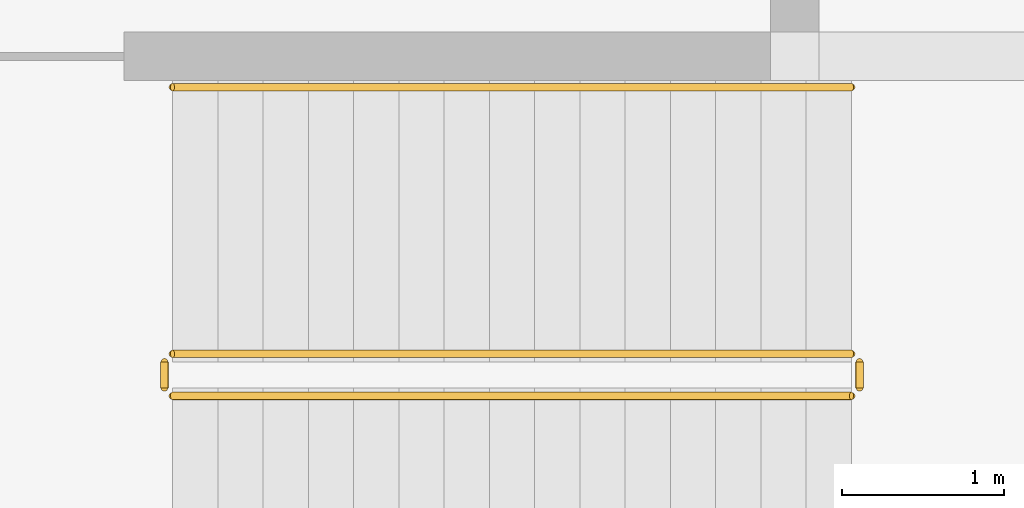
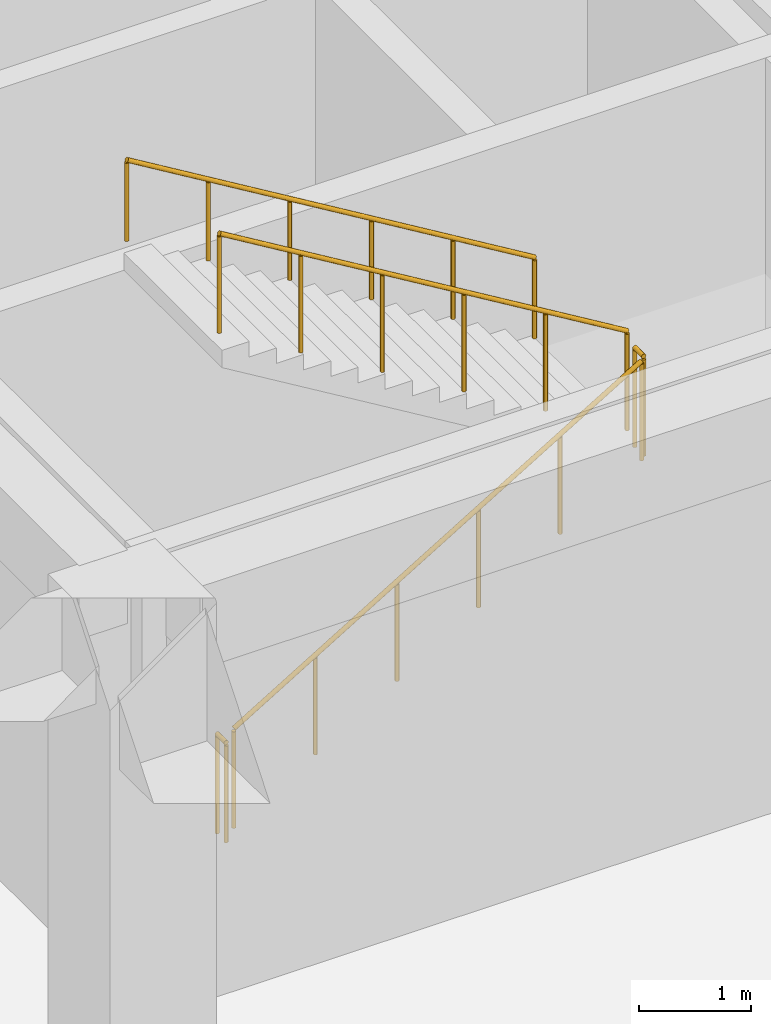
# One storey, part 21 of 24: 5 railings.
"""IFC4 building model written with IfcOpenShell, lengths in metres."""

from ifc_helpers import new_model, si_unit, direction, frame, origin, origin_2d, place, context, subcontext, project, spatial, circle, extrude, material, type_object, element, save


model = new_model("IFC4")

# Units and contexts
model_context = context("Model", 3, precision=1e-05, world=origin(), true_north=direction((0.0, 1.0)))
body_context = subcontext(model_context, "Body", "Model", "MODEL_VIEW")
ifc_project = project(units=[si_unit("LENGTHUNIT", "METRE"), si_unit("AREAUNIT", "SQUARE_METRE"), si_unit("VOLUMEUNIT", "CUBIC_METRE"), si_unit("PLANEANGLEUNIT", "RADIAN"), si_unit("MASSUNIT", "GRAM", prefix="KILO")], contexts=[model_context])

# Site, building, storey
site_placement = place(None, origin())
site = spatial("IfcSite", under=ifc_project, at=site_placement, CompositionType="ELEMENT")
building_placement = place(site_placement, origin())
building = spatial("IfcBuilding", under=site, at=building_placement, Name="Coralgate Yard Interchange", CompositionType="ELEMENT")
storey_placement = place(building_placement, frame((0.0, 0.0, -10.800048828125)))
storey = spatial("IfcBuildingStorey", under=building, at=storey_placement, Name="B2", CompositionType="ELEMENT", Elevation=-10.800048828125)

# Railings
ifc_material_1 = material(Name="Grade 316 marine stainless steel and toughened glass balustrade", Category="steel")
railing_type_1 = type_object("IfcRailingType", Name="RLG-GD1100", PredefinedType="BALUSTRADE", material=ifc_material_1)
railing_1_placement = place(storey_placement, frame((127.199951171875, 69.550048828125, 0.168701171875)))
element("IfcRailing", 1, at=railing_1_placement, inside=storey, type_object=railing_type_1, Name="B2 ST-07 stair guard 1", PredefinedType="BALUSTRADE", context=body_context, shape_type="SweptSolid", body=[
    extrude(circle(Radius=0.02392578125, at=origin_2d()), frame((0.0, 0.0, 1.076171875), z_axis=(0.856476492594, 0.0, 0.516186030065), x_axis=(0.0, 1.0, 0.0)), (0.0, 0.0, 1.0), 4.90380859375),
    extrude(circle(Radius=0.02099609375, at=origin_2d()), origin(), (0.0, 0.0, 1.0), 1.051513671875),
    extrude(circle(Radius=0.02099609375, at=origin_2d()), frame((0.840087890625, 0.0, 0.50634765625)), (0.0, 0.0, 1.0), 1.051513671875),
    extrude(circle(Radius=0.02099609375, at=origin_2d()), frame((1.679931640625, 0.0, 1.012451171875)), (0.0, 0.0, 1.0), 1.051513671875),
    extrude(circle(Radius=0.02099609375, at=origin_2d()), frame((2.52001953125, 0.0, 1.518798828125)), (0.0, 0.0, 1.0), 1.051513671875),
    extrude(circle(Radius=0.02099609375, at=origin_2d()), frame((3.35986328125, 0.0, 2.02490234375)), (0.0, 0.0, 1.0), 1.051513671875),
    extrude(circle(Radius=0.02099609375, at=origin_2d()), frame((4.199951171875, 0.0, 2.53125)), (0.0, 0.0, 1.0), 1.051513671875),
])
railing_2_placement = place(storey_placement, frame((131.449951171875, 69.60009765625, 2.699951171875)))
element("IfcRailing", 2, at=railing_2_placement, inside=storey, type_object=railing_type_1, Name="B2 ST-07 stair guard 2", PredefinedType="BALUSTRADE", context=body_context, shape_type="SweptSolid", body=[
    extrude(circle(Radius=0.02392578125, at=origin_2d()), frame((0.0, 0.0, 1.076171875), z_axis=(0.0, 1.0, 0.0), x_axis=(-1.0, 0.0, 0.0)), (0.0, 0.0, 1.0), 0.159912109375),
    extrude(circle(Radius=0.02099609375, at=origin_2d()), origin(), (0.0, 0.0, 1.0), 1.051513671875),
    extrude(circle(Radius=0.02099609375, at=origin_2d()), frame((0.0, 0.159912109375, 0.0)), (0.0, 0.0, 1.0), 1.051513671875),
])
railing_3_placement = place(storey_placement, frame((131.39990234375, 69.81005859375, 2.868896484375)))
element("IfcRailing", 3, at=railing_3_placement, inside=storey, type_object=railing_type_1, Name="B2 ST-07 stair guard 3", PredefinedType="BALUSTRADE", context=body_context, shape_type="SweptSolid", body=[
    extrude(circle(Radius=0.02392578125, at=origin_2d()), frame((0.0, 0.0, 1.076171875), z_axis=(-0.856476492594, 0.0, 0.516186030065), x_axis=(0.0, -1.0, 0.0)), (0.0, 0.0, 1.0), 4.90380859375),
    extrude(circle(Radius=0.02099609375, at=origin_2d()), origin(), (0.0, 0.0, 1.0), 1.051513671875),
    extrude(circle(Radius=0.02099609375, at=origin_2d()), frame((-0.840087890625, 0.0, 0.50634765625)), (0.0, 0.0, 1.0), 1.051513671875),
    extrude(circle(Radius=0.02099609375, at=origin_2d()), frame((-1.679931640625, 0.0, 1.012451171875)), (0.0, 0.0, 1.0), 1.051513671875),
    extrude(circle(Radius=0.02099609375, at=origin_2d()), frame((-2.52001953125, 0.0, 1.518798828125)), (0.0, 0.0, 1.0), 1.051513671875),
    extrude(circle(Radius=0.02099609375, at=origin_2d()), frame((-3.35986328125, 0.0, 2.02490234375)), (0.0, 0.0, 1.0), 1.051513671875),
    extrude(circle(Radius=0.02099609375, at=origin_2d()), frame((-4.199951171875, 0.0, 2.53125)), (0.0, 0.0, 1.0), 1.051513671875),
])
railing_4_placement = place(storey_placement, frame((127.14990234375, 69.60009765625, 0.0)))
element("IfcRailing", 4, at=railing_4_placement, inside=storey, type_object=railing_type_1, Name="B2 ST-07 stair guard 4", PredefinedType="BALUSTRADE", context=body_context, shape_type="SweptSolid", body=[
    extrude(circle(Radius=0.02392578125, at=origin_2d()), frame((0.0, 0.0, 1.076171875), z_axis=(0.0, 1.0, 0.0), x_axis=(-1.0, 0.0, 0.0)), (0.0, 0.0, 1.0), 0.159912109375),
    extrude(circle(Radius=0.02099609375, at=origin_2d()), origin(), (0.0, 0.0, 1.0), 1.051513671875),
    extrude(circle(Radius=0.02099609375, at=origin_2d()), frame((0.0, 0.159912109375, 0.0)), (0.0, 0.0, 1.0), 1.051513671875),
])
ifc_material_2 = material(Name="Grade 316 marine stainless steel", Category="steel")
railing_type_2 = type_object("IfcRailingType", Name="RLG-HR900", PredefinedType="HANDRAIL", material=ifc_material_2)
railing_5_placement = place(storey_placement, frame((131.39990234375, 71.4599609375, 2.868896484375)))
element("IfcRailing", 5, at=railing_5_placement, inside=storey, type_object=railing_type_2, Name="B2 ST-07 stair handrail 2", PredefinedType="HANDRAIL", context=body_context, shape_type="SweptSolid", body=[
    extrude(circle(Radius=0.02392578125, at=origin_2d()), frame((0.0, 0.0, 0.8759765625), z_axis=(-0.856476492594, 0.0, 0.516186030065), x_axis=(0.0, -1.0, 0.0)), (0.0, 0.0, 1.0), 4.90380859375),
    extrude(circle(Radius=0.02099609375, at=origin_2d()), origin(), (0.0, 0.0, 1.0), 0.851318359375),
    extrude(circle(Radius=0.02099609375, at=origin_2d()), frame((-0.840087890625, 0.0, 0.50634765625)), (0.0, 0.0, 1.0), 0.851318359375),
    extrude(circle(Radius=0.02099609375, at=origin_2d()), frame((-1.679931640625, 0.0, 1.012451171875)), (0.0, 0.0, 1.0), 0.851318359375),
    extrude(circle(Radius=0.02099609375, at=origin_2d()), frame((-2.52001953125, 0.0, 1.518798828125)), (0.0, 0.0, 1.0), 0.851318359375),
    extrude(circle(Radius=0.02099609375, at=origin_2d()), frame((-3.35986328125, 0.0, 2.02490234375)), (0.0, 0.0, 1.0), 0.851318359375),
    extrude(circle(Radius=0.02099609375, at=origin_2d()), frame((-4.199951171875, 0.0, 2.53125)), (0.0, 0.0, 1.0), 0.851318359375),
])

save(model, "model.ifc")
